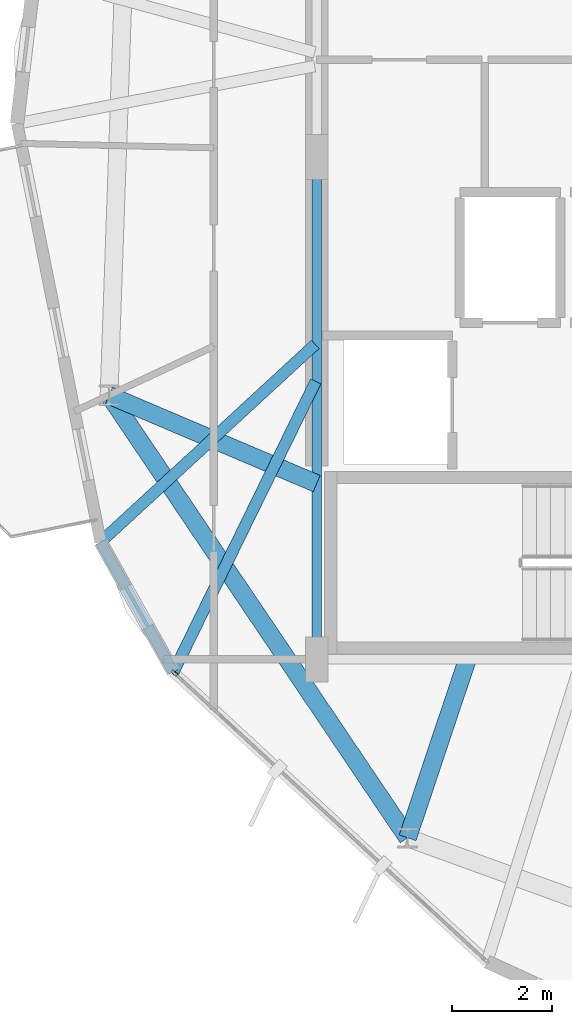
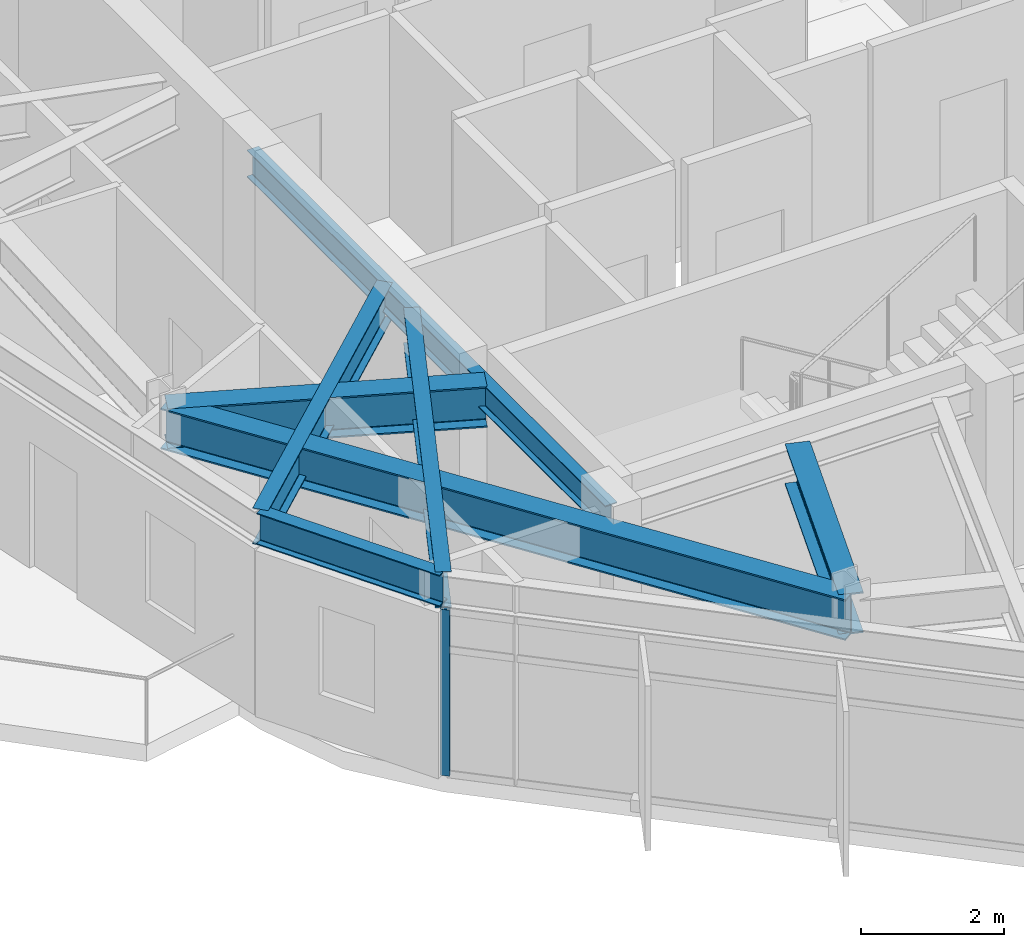
# One storey, part 3 of 25: 7 beams, 1 member, 1 element without a shape of its own.
"""IFC4 building model written with IfcOpenShell, lengths in metres."""

from ifc_helpers import new_model, si_unit, direction, frame, origin, origin_2d, place, context, subcontext, project, spatial, hollow_rectangle, i_section, extrude, material, layer, layer_set, material_profile, profile_set, type_object, element, aggregate, save


model = new_model("IFC4")

# Units and contexts
model_context = context("Model", 3, precision=1e-05, world=origin(), true_north=direction((0.0, 1.0)))
body_context = subcontext(model_context, "Body", "Model", "MODEL_VIEW")
ifc_project = project(units=[si_unit("LENGTHUNIT", "METRE"), si_unit("AREAUNIT", "SQUARE_METRE"), si_unit("VOLUMEUNIT", "CUBIC_METRE"), si_unit("PLANEANGLEUNIT", "RADIAN"), si_unit("MASSUNIT", "GRAM", prefix="KILO")], contexts=[model_context])

# Site, building, storey
site_placement = place(None, origin())
site = spatial("IfcSite", under=ifc_project, at=site_placement, CompositionType="ELEMENT")
building_placement = place(site_placement, origin())
building = spatial("IfcBuilding", under=site, at=building_placement, Name="Soratama Intermodal Tower", CompositionType="ELEMENT")
storey_placement = place(building_placement, frame((0.0, 0.0, 272.5)))
storey = spatial("IfcBuildingStorey", under=building, at=storey_placement, Name="L69", CompositionType="ELEMENT", Elevation=272.5)

# Beams
ifc_material_1 = material(Name="Structural steel ASTM A992 Grade 50", Category="steel")
ifc_material_profile_1 = material_profile(ifc_material_1, i_section(OverallWidth=0.19091796875, OverallDepth=0.4599609375, WebThickness=0.010009765625, FlangeThickness=0.01611328125, FilletRadius=0.010986328125, at=origin_2d()), Name="W18X55")
ifc_profile_set_1 = profile_set([ifc_material_profile_1], Name="Structural steel ASTM A992 Grade 50")
beam_type_1 = type_object("IfcBeamType", Name="BM-FLR-W18X55", PredefinedType="BEAM", material=ifc_profile_set_1)
beam_1_placement = place(storey_placement, frame((32.60009765625, 25.0, 3.219970703125), z_axis=(0.0, -1.0, 0.0), x_axis=(1.0, 0.0, 0.0)))
element("IfcBeam", 1, at=beam_1_placement, inside=storey, type_object=beam_type_1, Name="BM-L69-CRING-09", PredefinedType="BEAM", context=body_context, shape_type="SweptSolid", body=[
    extrude(i_section(OverallWidth=0.19091796875, OverallDepth=0.4599609375, WebThickness=0.010009765625, FlangeThickness=0.01611328125, FilletRadius=0.010986328125, at=origin_2d()), origin(), (0.0, 0.0, 1.0), 10.0),
])
ifc_material_2 = material(Name="Structural steel ASTM A992 Grade 50", Category="steel")
ifc_material_profile_2 = material_profile(ifc_material_2, i_section(OverallWidth=0.35498046875, OverallDepth=0.695068359375, WebThickness=0.015380859375, FlangeThickness=0.02490234375, FilletRadius=0.01611328125, at=origin_2d()), Name="W27X146")
ifc_profile_set_2 = profile_set([ifc_material_profile_2], Name="Structural steel ASTM A992 Grade 50")
beam_type_2 = type_object("IfcBeamType", Name="BM-RING-W27X146", PredefinedType="BEAM", material=ifc_profile_set_2)
beam_2_placement = place(storey_placement, frame((28.466064453125, 20.259033203125, 3.1025390625), z_axis=(0.559218025165, -0.829020627204, 0.0), x_axis=(0.829020627204, 0.559218025165, 0.0)))
element("IfcBeam", 2, at=beam_2_placement, inside=storey, type_object=beam_type_2, Name="BM-L69-RING-06", PredefinedType="BEAM", context=body_context, shape_type="SweptSolid", body=[
    extrude(i_section(OverallWidth=0.35498046875, OverallDepth=0.695068359375, WebThickness=0.015380859375, FlangeThickness=0.02490234375, FilletRadius=0.01611328125, at=origin_2d()), origin(), (0.0, 0.0, 1.0), 10.630615234375),
])
beam_3_placement = place(storey_placement, frame((32.60009765625, 18.5, 3.1025390625), z_axis=(-0.920165049547, 0.391530690485, 0.0), x_axis=(-0.391530690485, -0.920165049547, 0.0)))
element("IfcBeam", 3, at=beam_3_placement, inside=storey, type_object=beam_type_2, Name="BM-L69-RAD-06", PredefinedType="BEAM", context=body_context, shape_type="SweptSolid", body=[
    extrude(i_section(OverallWidth=0.35498046875, OverallDepth=0.695068359375, WebThickness=0.015380859375, FlangeThickness=0.02490234375, FilletRadius=0.01611328125, at=origin_2d()), origin(), (0.0, 0.0, 1.0), 4.49267578125),
])
beam_4_placement = place(storey_placement, frame((35.60009765625, 15.0, 3.1025390625), z_axis=(-0.317321993996, -0.948317853953, 0.0), x_axis=(0.948317853953, -0.317321993996, 0.0)))
element("IfcBeam", 4, at=beam_4_placement, inside=storey, type_object=beam_type_2, Name="BM-L69-RAD-07", PredefinedType="BEAM", context=body_context, shape_type="SweptSolid", body=[
    extrude(i_section(OverallWidth=0.35498046875, OverallDepth=0.695068359375, WebThickness=0.015380859375, FlangeThickness=0.02490234375, FilletRadius=0.01611328125, at=origin_2d()), origin(), (0.0, 0.0, 1.0), 3.74755859375),
])
ifc_material_3 = material(Name="Structural steel ASTM A992 Grade 50", Category="steel")
ifc_material_profile_3 = material_profile(ifc_material_3, i_section(OverallWidth=0.2099609375, OverallDepth=0.537109375, WebThickness=0.010986328125, FlangeThickness=0.017333984375, FilletRadius=0.012939453125, at=origin_2d()), Name="W21X68")
ifc_profile_set_3 = profile_set([ifc_material_profile_3], Name="Structural steel ASTM A992 Grade 50")
beam_type_3 = type_object("IfcBeamType", Name="BM-SPN-W21X68", PredefinedType="SPANDREL", material=ifc_profile_set_3)
beam_5_placement = place(storey_placement, frame((28.297119140625, 17.3349609375, 3.181396484375), z_axis=(0.489041812843, -0.872260342611, 0.0), x_axis=(0.872260342611, 0.489041812843, 0.0)))
element("IfcBeam", 5, at=beam_5_placement, inside=storey, type_object=beam_type_3, Name="BS-L69-CRN04", PredefinedType="SPANDREL", context=body_context, shape_type="SweptSolid", body=[
    extrude(i_section(OverallWidth=0.2099609375, OverallDepth=0.537109375, WebThickness=0.010986328125, FlangeThickness=0.017333984375, FilletRadius=0.012939453125, at=origin_2d()), origin(), (0.0, 0.0, 1.0), 2.966796875),
])
ifc_material_4 = material(Name="Structural steel ASTM A992 Grade 50", Category="steel")
ifc_material_profile_4 = material_profile(ifc_material_4, i_section(OverallWidth=0.22900390625, OverallDepth=0.612060546875, WebThickness=0.011962890625, FlangeThickness=0.01953125, FilletRadius=0.012939453125, at=origin_2d()), Name="W24X84")
ifc_profile_set_4 = profile_set([ifc_material_profile_4], Name="Structural steel ASTM A992 Grade 50")
beam_type_4 = type_object("IfcBeamType", Name="BM-TIE-W24X84", PredefinedType="BEAM", material=ifc_profile_set_4)
beam_6_placement = place(storey_placement, frame((32.571044921875, 21.27197265625, 3.14404296875), z_axis=(-0.735502129154, -0.677522411444, 0.0), x_axis=(0.677522411444, -0.735502129154, 0.0)))
element("IfcBeam", 6, at=beam_6_placement, inside=storey, type_object=beam_type_4, Name="BM-L69-TIE1-04", PredefinedType="BEAM", context=body_context, shape_type="SweptSolid", body=[
    extrude(i_section(OverallWidth=0.22900390625, OverallDepth=0.612060546875, WebThickness=0.011962890625, FlangeThickness=0.01953125, FilletRadius=0.012939453125, at=origin_2d()), origin(), (0.0, 0.0, 1.0), 5.810791015625),
])
beam_7_placement = place(storey_placement, frame((32.58203125, 20.535888671875, 3.14404296875), z_axis=(-0.439697857661, -0.898145753187, 0.0), x_axis=(0.898145753187, -0.439697857661, 0.0)))
element("IfcBeam", 7, at=beam_7_placement, inside=storey, type_object=beam_type_4, Name="BM-L69-TIE0-05", PredefinedType="BEAM", context=body_context, shape_type="SweptSolid", body=[
    extrude(i_section(OverallWidth=0.22900390625, OverallDepth=0.612060546875, WebThickness=0.011962890625, FlangeThickness=0.01953125, FilletRadius=0.012939453125, at=origin_2d()), origin(), (0.0, 0.0, 1.0), 6.4453125),
])

# Curtain wall, member
ifc_material_5 = material(Name="Double-glazed aluminium curtain wall", Category="aluminium")
ifc_layer = layer(ifc_material_5, 0.159912109375)
ifc_layer_set = layer_set([ifc_layer], Name="Double-glazed aluminium curtain wall")
curtain_wall_type = type_object("IfcCurtainWallType", Name="CW-SYS-5", PredefinedType="NOTDEFINED", material=ifc_layer_set)
curtain_wall_placement = place(storey_placement, origin())
curtain_wall = element("IfcCurtainWall", 8, at=curtain_wall_placement, inside=storey, type_object=curtain_wall_type, Name="L69 Faceted Curtain Wall F05", PredefinedType="NOTDEFINED")
ifc_material_6 = material(Name="Anodised aluminium AA 6063-T6", Category="aluminium")
ifc_material_profile_5 = material_profile(ifc_material_6, hollow_rectangle(XDim=0.06494140625, YDim=0.139892578125, WallThickness=0.0048828125, InnerFilletRadius=0.0048828125, OuterFilletRadius=0.010009765625, at=origin_2d()), Name="CWM140X65X5")
ifc_profile_set_5 = profile_set([ifc_material_profile_5], Name="Anodised aluminium AA 6063-T6")
member_type = type_object("IfcMemberType", Name="MT-CWM-5", PredefinedType="MULLION", material=ifc_profile_set_5)
member_placement = place(storey_placement, frame((29.769775390625, 14.72705078125, 0.0), z_axis=(0.0, 0.0, 1.0), x_axis=(0.678416910779, 0.734677136686, 0.0)))
member = element("IfcMember", 9, at=member_placement, type_object=member_type, Name="CW-5 mullion 1", PredefinedType="MULLION", context=body_context, shape_type="SweptSolid", body=[
    extrude(hollow_rectangle(XDim=0.06494140625, YDim=0.139892578125, WallThickness=0.0048828125, InnerFilletRadius=0.0048828125, OuterFilletRadius=0.010009765625, at=origin_2d()), origin(), (0.0, 0.0, 1.0), 2.8291015625),
])
aggregate(curtain_wall, [member])

save(model, "model.ifc")
